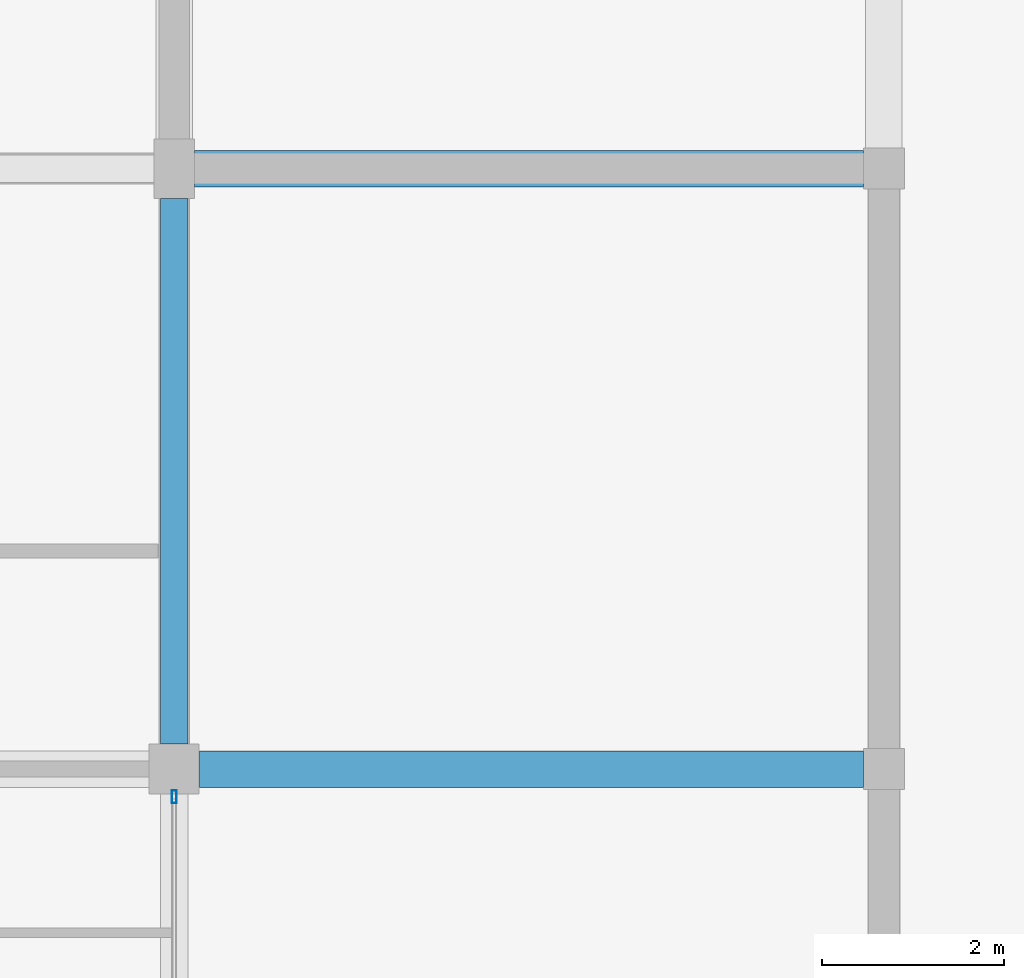
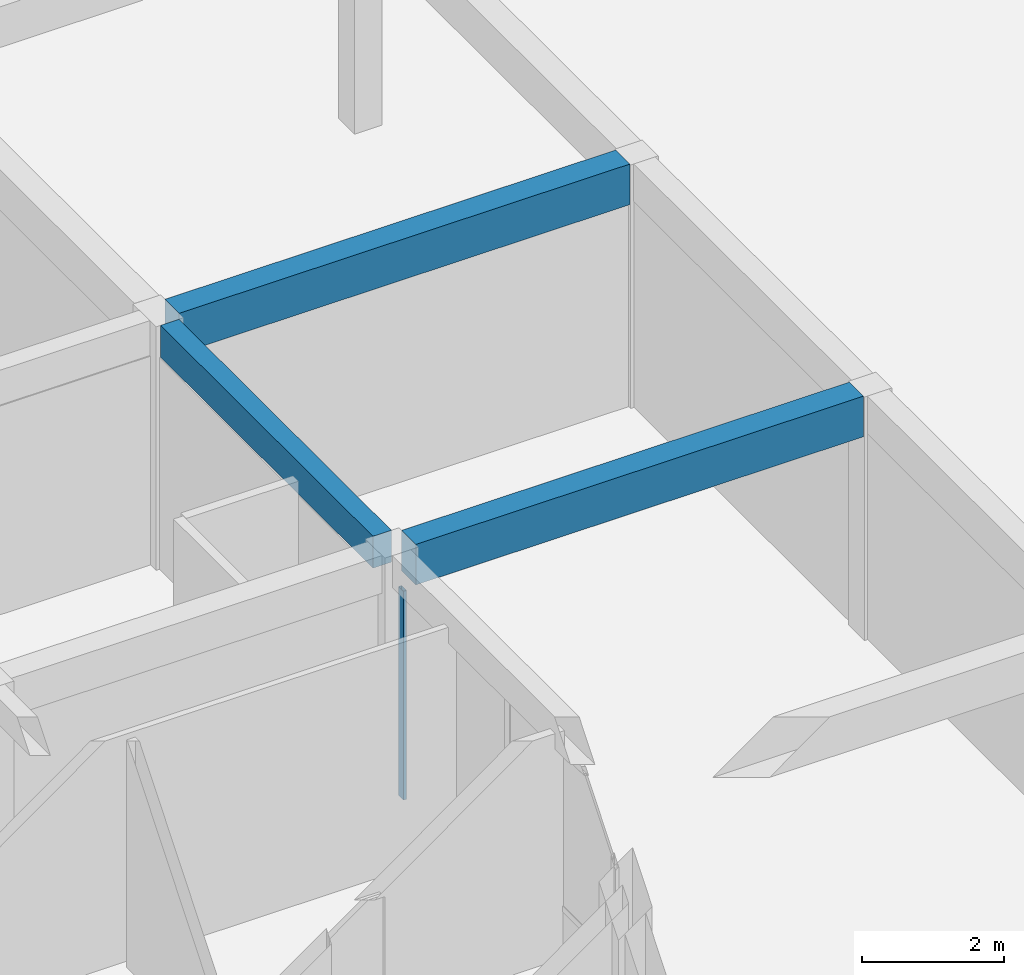
# One storey, part 44 of 75: 3 beams, 1 member, 1 element without a shape of its own.
"""IFC4 building model written with IfcOpenShell, lengths in metres."""

from ifc_helpers import new_model, si_unit, direction, frame, origin, origin_2d, place, context, subcontext, project, spatial, rectangle, hollow_rectangle, extrude, material, material_profile, profile_set, type_object, element, aggregate, save


model = new_model("IFC4")

# Units and contexts
model_context = context("Model", 3, precision=1e-05, world=origin(), true_north=direction((0.0, 1.0)))
body_context = subcontext(model_context, "Body", "Model", "MODEL_VIEW")
ifc_project = project(units=[si_unit("LENGTHUNIT", "METRE"), si_unit("AREAUNIT", "SQUARE_METRE"), si_unit("VOLUMEUNIT", "CUBIC_METRE"), si_unit("PLANEANGLEUNIT", "RADIAN"), si_unit("MASSUNIT", "GRAM", prefix="KILO")], contexts=[model_context])

# Site, building, storey
site_placement = place(None, origin())
site = spatial("IfcSite", under=ifc_project, at=site_placement, CompositionType="ELEMENT")
building_placement = place(site_placement, origin())
building = spatial("IfcBuilding", under=site, at=building_placement, Name="Kernevlak Ridge Housing Community", CompositionType="ELEMENT")
storey_placement = place(building_placement, origin())
storey = spatial("IfcBuildingStorey", under=building, at=storey_placement, Name="L00", CompositionType="ELEMENT", Elevation=0.0)

# Beams
ifc_material_1 = material(Name="Concrete C35/45", Category="concrete")
ifc_material_profile_1 = material_profile(ifc_material_1, rectangle(XDim=0.39990234375, YDim=0.699951171875, at=origin_2d()), Name="RC 400x700")
ifc_profile_set_1 = profile_set([ifc_material_profile_1], Name="Concrete C35/45")
beam_type_1 = type_object("IfcBeamType", Name="B-01", PredefinedType="BEAM", material=ifc_profile_set_1)
beam_1_placement = place(storey_placement, frame((152.675048828125, 95.800048828125, 3.85009765625), z_axis=(1.0, 0.0, 0.0), x_axis=(0.0, 1.0, 0.0)))
element("IfcBeam", 1, at=beam_1_placement, inside=storey, type_object=beam_type_1, Name="Beam B-01 L00 2233", PredefinedType="BEAM", context=body_context, shape_type="SweptSolid", body=[
    extrude(rectangle(XDim=0.39990234375, YDim=0.699951171875, at=origin_2d()), origin(), (0.0, 0.0, 1.0), 7.300048828125),
])
beam_2_placement = place(storey_placement, frame((152.625, 102.39990234375, 3.85009765625), z_axis=(1.0, 0.0, 0.0), x_axis=(0.0, 1.0, 0.0)))
element("IfcBeam", 2, at=beam_2_placement, inside=storey, type_object=beam_type_1, Name="Beam B-01 L00 2248", PredefinedType="BEAM", context=body_context, shape_type="SweptSolid", body=[
    extrude(rectangle(XDim=0.39990234375, YDim=0.699951171875, at=origin_2d()), origin(), (0.0, 0.0, 1.0), 7.35009765625),
])

# Curtain wall, member
ifc_material_2 = material(Name="Aluminium EN AW-6060 anodised and laminated glass", Category="aluminium")
curtain_wall_type = type_object("IfcCurtainWallType", Name="CW-12", PredefinedType="NOTDEFINED", material=ifc_material_2)
curtain_wall_placement = place(storey_placement, origin())
curtain_wall = element("IfcCurtainWall", 3, at=curtain_wall_placement, inside=storey, type_object=curtain_wall_type, Name="Curtain wall CW-12 CW-L00-057", PredefinedType="NOTDEFINED")
ifc_material_3 = material(Name="Aluminium EN AW-6060 anodised", Category="aluminium")
ifc_material_profile_2 = material_profile(ifc_material_3, hollow_rectangle(XDim=0.054931640625, YDim=0.139892578125, WallThickness=0.00390625, InnerFilletRadius=0.001953125, OuterFilletRadius=0.00390625, at=origin_2d()), Name="ALU 55x140x4")
ifc_profile_set_2 = profile_set([ifc_material_profile_2], Name="Aluminium EN AW-6060 anodised")
member_type = type_object("IfcMemberType", Name="MU-01", PredefinedType="MULLION", material=ifc_profile_set_2)
member_placement = place(storey_placement, frame((152.39990234375, 95.49755859375, 0.0), z_axis=(0.0, 0.0, 1.0), x_axis=(-1.0, 0.0, 0.0)))
member = element("IfcMember", 4, at=member_placement, type_object=member_type, Name="CW-12 mullion 3", PredefinedType="MULLION", context=body_context, shape_type="SweptSolid", body=[
    extrude(hollow_rectangle(XDim=0.054931640625, YDim=0.139892578125, WallThickness=0.00390625, InnerFilletRadius=0.001953125, OuterFilletRadius=0.00390625, at=origin_2d()), origin(), (0.0, 0.0, 1.0), 3.60009765625),
])
aggregate(curtain_wall, [member])

# Beam
ifc_material_profile_3 = material_profile(ifc_material_1, rectangle(XDim=0.300048828125, YDim=0.550048828125, at=origin_2d()), Name="RC 300x550")
ifc_profile_set_3 = profile_set([ifc_material_profile_3], Name="Concrete C35/45")
beam_type_2 = type_object("IfcBeamType", Name="SP-01", PredefinedType="SPANDREL", material=ifc_profile_set_3)
beam_3_placement = place(storey_placement, frame((152.39990234375, 96.074951171875, 3.925048828125), z_axis=(0.0, 1.0, 0.0), x_axis=(-1.0, 0.0, 0.0)))
element("IfcBeam", 5, at=beam_3_placement, inside=storey, type_object=beam_type_2, Name="Beam SP-01 L00 592", PredefinedType="SPANDREL", context=body_context, shape_type="SweptSolid", body=[
    extrude(rectangle(XDim=0.300048828125, YDim=0.550048828125, at=origin_2d()), origin(), (0.0, 0.0, 1.0), 6.0),
])

save(model, "model.ifc")
